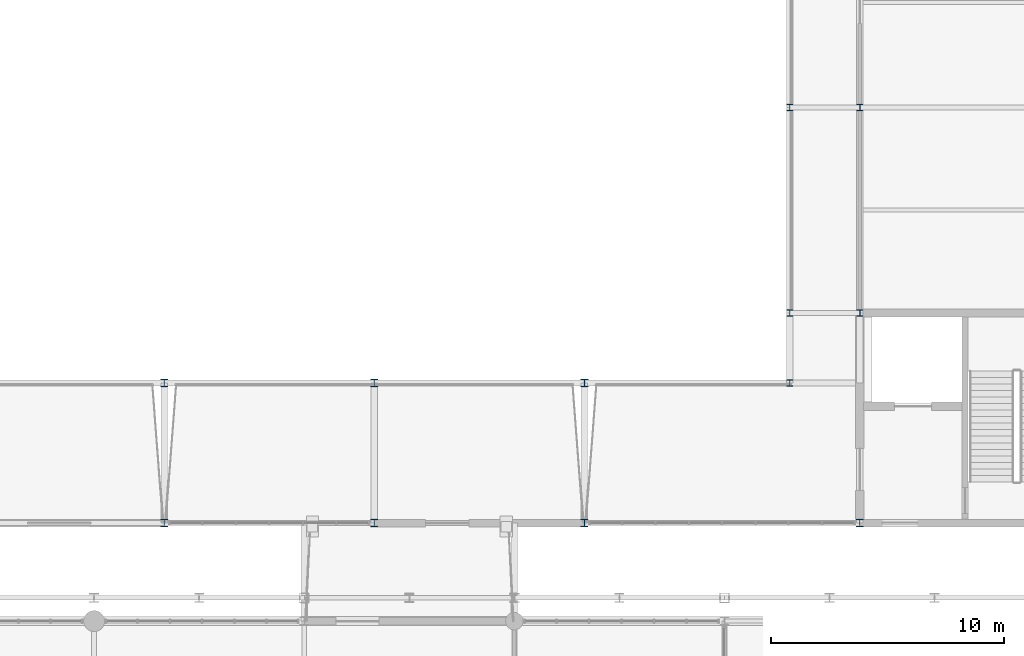
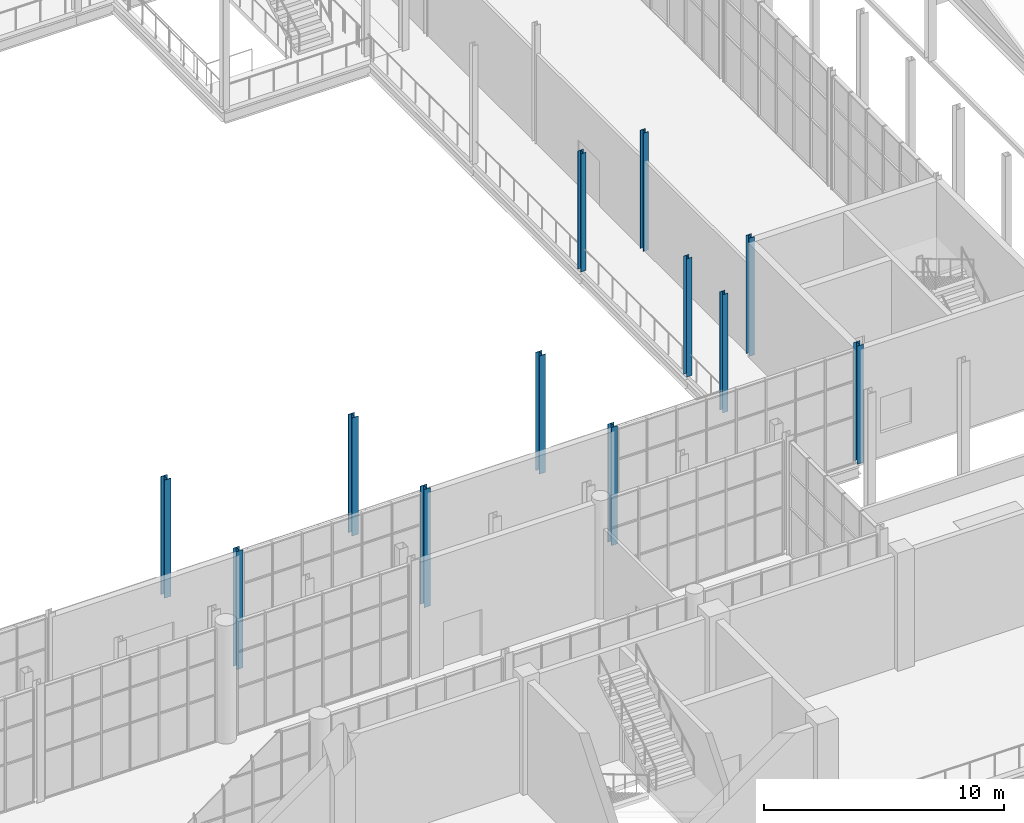
# One storey, part 21 of 159: 12 columns.
"""IFC4 building model written with IfcOpenShell, lengths in metres."""

from ifc_helpers import new_model, si_unit, direction, frame, origin, origin_2d, place, context, subcontext, project, spatial, i_section, extrude, material, material_profile, profile_set, type_object, element, save


model = new_model("IFC4")

# Units and contexts
model_context = context("Model", 3, precision=1e-05, world=origin(), true_north=direction((0.0, 1.0)))
body_context = subcontext(model_context, "Body", "Model", "MODEL_VIEW")
ifc_project = project(units=[si_unit("LENGTHUNIT", "METRE"), si_unit("AREAUNIT", "SQUARE_METRE"), si_unit("VOLUMEUNIT", "CUBIC_METRE"), si_unit("PLANEANGLEUNIT", "RADIAN"), si_unit("MASSUNIT", "GRAM", prefix="KILO")], contexts=[model_context])

# Site, building, storey
site_placement = place(None, origin())
site = spatial("IfcSite", under=ifc_project, at=site_placement, CompositionType="ELEMENT")
building_placement = place(site_placement, origin())
building = spatial("IfcBuilding", under=site, at=building_placement, Name="Cazmaro Siding Exhibition Halls", CompositionType="ELEMENT")
storey_placement = place(building_placement, frame((0.0, 0.0, 6.0)))
storey = spatial("IfcBuildingStorey", under=building, at=storey_placement, Name="L01", CompositionType="ELEMENT", Elevation=6.0)

# Columns
ifc_material_1 = material(Name="Steel ASTM A992 Grade 50", Category="steel")
ifc_material_profile_1 = material_profile(ifc_material_1, i_section(OverallWidth=0.304931640625, OverallDepth=0.306884765625, WebThickness=0.010009765625, FlangeThickness=0.014892578125, at=origin_2d()), Name="W12X65")
ifc_profile_set_1 = profile_set([ifc_material_profile_1], Name="Steel ASTM A992 Grade 50")
column_type_1 = type_object("IfcColumnType", Name="C-06", PredefinedType="COLUMN", material=ifc_profile_set_1)
for number, where, z_axis, x_axis, name in (
    (1, (129.0, 67.199951171875, 0.0), (0.0, 0.0, 1.0), (1.0, 0.0, 0.0), "Column C-06 COL-0346"),
    (2, (138.0, 67.199951171875, 0.0), (0.0, 0.0, 1.0), (1.0, 0.0, 0.0), "Column C-06 COL-0356"),
    (3, (147.0, 67.199951171875, 0.0), (0.0, 0.0, 1.0), (1.0, 0.0, 0.0), "Column C-06 COL-0366"),
    (4, (158.800048828125, 67.199951171875, 0.0), (0.0, 0.0, 1.0), (1.0, 0.0, 0.0), "Column C-06 COL-0376"),
):
    element("IfcColumn", number, at=place(storey_placement, frame(where, z_axis=z_axis, x_axis=x_axis)), inside=storey, type_object=column_type_1, Name=name, PredefinedType="COLUMN", context=body_context, shape_type="SweptSolid", body=[
        extrude(i_section(OverallWidth=0.304931640625, OverallDepth=0.306884765625, WebThickness=0.010009765625, FlangeThickness=0.014892578125, at=origin_2d()), origin(), (0.0, 0.0, 1.0), 6.0),
    ])
ifc_material_2 = material(Name="Steel ASTM A992 Grade 50", Category="steel")
ifc_material_profile_2 = material_profile(ifc_material_2, i_section(OverallWidth=0.30908203125, OverallDepth=0.320068359375, WebThickness=0.013916015625, FlangeThickness=0.02294921875, at=origin_2d()), Name="W12X96")
ifc_profile_set_2 = profile_set([ifc_material_profile_2], Name="Steel ASTM A992 Grade 50")
column_type_2 = type_object("IfcColumnType", Name="C-13", PredefinedType="COLUMN", material=ifc_profile_set_2)
for number, where, z_axis, x_axis, name in (
    (5, (129.0, 73.199951171875, 0.0), (0.0, 0.0, 1.0), (1.0, 0.0, 0.0), "Column C-13 COL-0349"),
    (6, (138.0, 73.199951171875, 0.0), (0.0, 0.0, 1.0), (1.0, 0.0, 0.0), "Column C-13 COL-0359"),
    (7, (147.0, 73.199951171875, 0.0), (0.0, 0.0, 1.0), (1.0, 0.0, 0.0), "Column C-13 COL-0369"),
):
    element("IfcColumn", number, at=place(storey_placement, frame(where, z_axis=z_axis, x_axis=x_axis)), inside=storey, type_object=column_type_2, Name=name, PredefinedType="COLUMN", context=body_context, shape_type="SweptSolid", body=[
        extrude(i_section(OverallWidth=0.30908203125, OverallDepth=0.320068359375, WebThickness=0.013916015625, FlangeThickness=0.02294921875, at=origin_2d()), origin(), (0.0, 0.0, 1.0), 6.0),
    ])
ifc_material_3 = material(Name="Steel ASTM A992 Grade 50", Category="steel")
ifc_material_profile_3 = material_profile(ifc_material_3, i_section(OverallWidth=0.257080078125, OverallDepth=0.263916015625, WebThickness=0.011962890625, FlangeThickness=0.02001953125, at=origin_2d()), Name="W10X68")
ifc_profile_set_3 = profile_set([ifc_material_profile_3], Name="Steel ASTM A992 Grade 50")
column_type_3 = type_object("IfcColumnType", Name="C-14", PredefinedType="COLUMN", material=ifc_profile_set_3)
for number, where, z_axis, x_axis, name in (
    (8, (155.800048828125, 76.199951171875, 0.0), (0.0, 0.0, 1.0), (1.0, 0.0, 0.0), "Column C-14 COL-0421"),
    (9, (155.800048828125, 85.0, 0.0), (0.0, 0.0, 1.0), (1.0, 0.0, 0.0), "Column C-14 COL-0423"),
    (10, (158.800048828125, 76.199951171875, 0.0), (0.0, 0.0, 1.0), (1.0, 0.0, 0.0), "Column C-14 COL-0429"),
    (11, (158.800048828125, 85.0, 0.0), (0.0, 0.0, 1.0), (1.0, 0.0, 0.0), "Column C-14 COL-0432"),
    (12, (155.800048828125, 73.199951171875, 0.0), (0.0, 0.0, 1.0), (1.0, 0.0, 0.0), "Column C-14 COL-0454"),
):
    element("IfcColumn", number, at=place(storey_placement, frame(where, z_axis=z_axis, x_axis=x_axis)), inside=storey, type_object=column_type_3, Name=name, PredefinedType="COLUMN", context=body_context, shape_type="SweptSolid", body=[
        extrude(i_section(OverallWidth=0.257080078125, OverallDepth=0.263916015625, WebThickness=0.011962890625, FlangeThickness=0.02001953125, at=origin_2d()), origin(), (0.0, 0.0, 1.0), 6.0),
    ])

save(model, "model.ifc")
